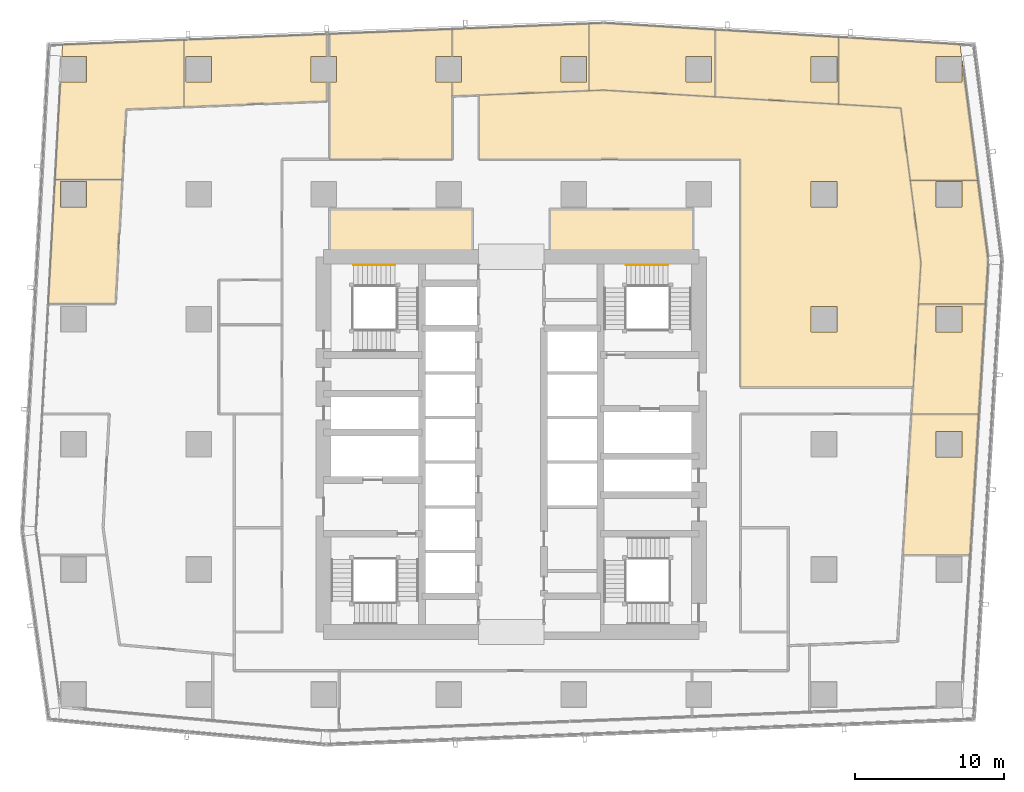
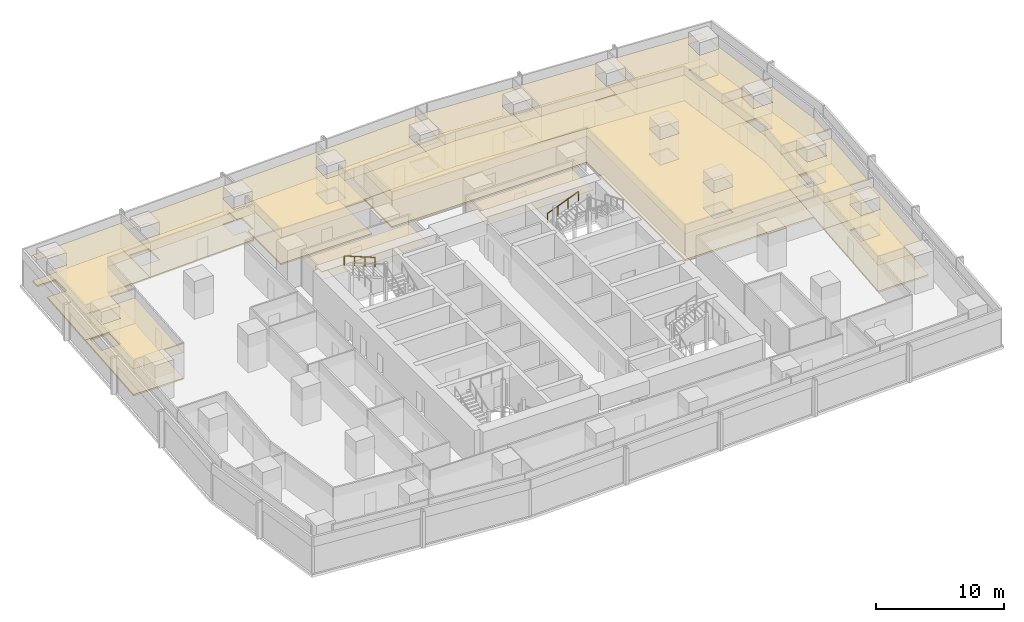
# One storey, part 40 of 40: 26 coverings, 2 railings.
"""IFC4 building model written with IfcOpenShell, lengths in metres."""

from ifc_helpers import new_model, si_unit, direction, frame, origin, origin_2d, place, context, subcontext, project, spatial, polyline, circle, outline, extrude, material, layer, layer_set, type_object, element, save


model = new_model("IFC4")

# Units and contexts
model_context = context("Model", 3, precision=1e-05, world=origin(), true_north=direction((0.0, 1.0)))
body_context = subcontext(model_context, "Body", "Model", "MODEL_VIEW")
ifc_project = project(units=[si_unit("LENGTHUNIT", "METRE"), si_unit("AREAUNIT", "SQUARE_METRE"), si_unit("VOLUMEUNIT", "CUBIC_METRE"), si_unit("PLANEANGLEUNIT", "RADIAN"), si_unit("MASSUNIT", "GRAM", prefix="KILO")], contexts=[model_context])

# Site, building, storey
site_placement = place(None, origin())
site = spatial("IfcSite", under=ifc_project, at=site_placement, CompositionType="ELEMENT")
building_placement = place(site_placement, origin())
building = spatial("IfcBuilding", under=site, at=building_placement, Name="Rekha Terrace Tower", CompositionType="ELEMENT")
storey_placement = place(building_placement, frame((0.0, 0.0, 106.550048828125)))
storey = spatial("IfcBuildingStorey", under=building, at=storey_placement, Name="L26", CompositionType="ELEMENT", Elevation=106.550048828125)

# Coverings
ifc_material_1 = material(Name="Mineral fibre tile in exposed grid", Category="finish")
ifc_layer_1 = layer(ifc_material_1, 0.02001953125)
ifc_layer_set_1 = layer_set([ifc_layer_1], Name="Mineral fibre tile in exposed grid")
covering_type_1 = type_object("IfcCoveringType", Name="CL1 600x1200 office grid ceiling", PredefinedType="CEILING", material=ifc_layer_set_1)
covering_1_placement = place(storey_placement, frame((0.0, 0.0, 2.579833984375)))
element("IfcCovering", 1, at=covering_1_placement, inside=storey, type_object=covering_type_1, Name="Ceiling L26-04", PredefinedType="CEILING", context=body_context, shape_type="SweptSolid", body=[
    extrude(outline(polyline([(64.114013671875, 26.1669921875), (68.623046875, 26.1669921875), (69.202880859375, 35.633056640625), (64.694091796875, 35.633056640625), (64.114013671875, 26.1669921875)]), holes=[polyline([(68.06494140625, 34.465087890625), (68.06494140625, 32.735107421875), (66.3349609375, 32.735107421875), (66.3349609375, 34.465087890625), (68.06494140625, 34.465087890625)])]), origin(), (0.0, 0.0, 1.0), 0.02001953125),
])
covering_2_placement = place(storey_placement, frame((0.0, 0.0, 2.579833984375)))
element("IfcCovering", 2, at=covering_2_placement, inside=storey, type_object=covering_type_1, Name="Ceiling L26-05", PredefinedType="CEILING", context=body_context, shape_type="SweptSolid", body=[
    extrude(outline(polyline([(69.655029296875, 43.011962890625), (65.14599609375, 43.011962890625), (64.7529296875, 36.589111328125), (64.694091796875, 35.634033203125), (69.202880859375, 35.634033203125), (69.655029296875, 43.011962890625)]), holes=[polyline([(68.06494140625, 41.135009765625), (66.3349609375, 41.135009765625), (66.3349609375, 42.864990234375), (68.06494140625, 42.864990234375), (68.06494140625, 41.135009765625)])]), origin(), (0.0, 0.0, 1.0), 0.02001953125),
])
covering_3_placement = place(storey_placement, frame((0.0, 0.0, 2.579833984375)))
element("IfcCovering", 3, at=covering_3_placement, inside=storey, type_object=covering_type_1, Name="Ceiling L26-06", PredefinedType="CEILING", context=body_context, shape_type="SweptSolid", body=[
    extrude(outline(polyline([(69.8359375, 45.971923828125), (69.136962890625, 51.337890625), (64.59912109375, 51.337890625), (65.318115234375, 45.818115234375), (65.14599609375, 43.012939453125), (69.655029296875, 43.012939453125), (69.8359375, 45.971923828125)]), holes=[polyline([(68.06494140625, 49.534912109375), (66.3349609375, 49.534912109375), (66.3349609375, 51.264892578125), (68.06494140625, 51.264892578125), (68.06494140625, 49.534912109375)])]), origin(), (0.0, 0.0, 1.0), 0.02001953125),
])
covering_4_placement = place(storey_placement, frame((0.0, 0.0, 2.579833984375)))
element("IfcCovering", 4, at=covering_4_placement, inside=storey, type_object=covering_type_1, Name="Ceiling L26-07", PredefinedType="CEILING", context=body_context, shape_type="SweptSolid", body=[
    extrude(outline(polyline([(67.948974609375, 60.462890625), (59.7880859375, 60.952880859375), (59.7880859375, 56.445068359375), (63.967041015625, 56.194091796875), (64.59912109375, 51.339111328125), (69.136962890625, 51.339111328125), (68.0849609375, 59.416015625), (68.06494140625, 59.4150390625), (68.06494140625, 57.93505859375), (66.3349609375, 57.93505859375), (66.3349609375, 59.6650390625), (68.052978515625, 59.6650390625), (67.948974609375, 60.462890625)])), origin(), (0.0, 0.0, 1.0), 0.02001953125),
])
covering_5_placement = place(storey_placement, frame((0.0, 0.0, 2.579833984375)))
element("IfcCovering", 5, at=covering_5_placement, inside=storey, type_object=covering_type_1, Name="Ceiling L26-08", PredefinedType="CEILING", context=body_context, shape_type="SweptSolid", body=[
    extrude(outline(polyline([(59.787109375, 56.445068359375), (59.787109375, 60.9541015625), (51.4951171875, 61.451904296875), (51.4951171875, 56.944091796875), (59.787109375, 56.445068359375)]), holes=[polyline([(59.6650390625, 57.93505859375), (57.93505859375, 57.93505859375), (57.93505859375, 59.6650390625), (59.6650390625, 59.6650390625), (59.6650390625, 57.93505859375)])]), origin(), (0.0, 0.0, 1.0), 0.02001953125),
])
covering_6_placement = place(storey_placement, frame((0.0, 0.0, 2.579833984375)))
element("IfcCovering", 6, at=covering_6_placement, inside=storey, type_object=covering_type_1, Name="Ceiling L26-09", PredefinedType="CEILING", context=body_context, shape_type="SweptSolid", body=[
    extrude(outline(polyline([(44.0380859375, 61.89990234375), (43.02392578125, 61.85888671875), (43.02392578125, 57.35595703125), (43.992919921875, 57.39501953125), (51.493896484375, 56.944091796875), (51.493896484375, 61.451904296875), (44.0380859375, 61.89990234375)]), holes=[polyline([(51.264892578125, 57.93505859375), (49.534912109375, 57.93505859375), (49.534912109375, 59.6650390625), (51.264892578125, 59.6650390625), (51.264892578125, 57.93505859375)])]), origin(), (0.0, 0.0, 1.0), 0.02001953125),
])
covering_7_placement = place(storey_placement, frame((0.0, 0.0, 2.579833984375)))
element("IfcCovering", 7, at=covering_7_placement, inside=storey, type_object=covering_type_1, Name="Ceiling L26-10", PredefinedType="CEILING", context=body_context, shape_type="SweptSolid", body=[
    extrude(outline(polyline([(34.465087890625, 57.93505859375), (33.827880859375, 57.93505859375), (33.827880859375, 56.987060546875), (34.60400390625, 57.01806640625), (43.02294921875, 57.35595703125), (43.02294921875, 61.85888671875), (33.827880859375, 61.490966796875), (33.827880859375, 59.6650390625), (34.465087890625, 59.6650390625), (34.465087890625, 57.93505859375)]), holes=[polyline([(42.864990234375, 57.93505859375), (41.135009765625, 57.93505859375), (41.135009765625, 59.6650390625), (42.864990234375, 59.6650390625), (42.864990234375, 57.93505859375)])]), origin(), (0.0, 0.0, 1.0), 0.02001953125),
])
covering_8_placement = place(storey_placement, frame((0.0, 0.0, 2.579833984375)))
element("IfcCovering", 8, at=covering_8_placement, inside=storey, type_object=covering_type_1, Name="Ceiling L26-12", PredefinedType="CEILING", context=body_context, shape_type="SweptSolid", body=[
    extrude(outline(polyline([(25.60009765625, 52.75), (33.825927734375, 52.75), (33.825927734375, 56.987060546875), (33.826904296875, 56.987060546875), (33.826904296875, 57.93505859375), (32.735107421875, 57.93505859375), (32.735107421875, 59.6650390625), (33.826904296875, 59.6650390625), (33.826904296875, 61.490966796875), (26.258056640625, 61.18798828125), (25.60009765625, 61.160888671875), (25.60009765625, 59.6650390625), (26.06494140625, 59.6650390625), (26.06494140625, 57.93505859375), (25.60009765625, 57.93505859375), (25.60009765625, 52.75)])), origin(), (0.0, 0.0, 1.0), 0.02001953125),
])
covering_9_placement = place(storey_placement, frame((0.0, 0.0, 2.579833984375)))
element("IfcCovering", 9, at=covering_9_placement, inside=storey, type_object=covering_type_1, Name="Ceiling L26-O1", PredefinedType="CEILING", context=body_context, shape_type="SweptSolid", body=[
    extrude(outline(polyline([(43.992919921875, 57.39501953125), (43.02392578125, 57.35595703125), (35.6259765625, 57.05908203125), (35.6259765625, 52.75), (53.199951171875, 52.75), (53.199951171875, 37.43701171875), (64.804931640625, 37.43701171875), (65.14599609375, 43.012939453125), (65.318115234375, 45.818115234375), (64.596923828125, 51.35498046875), (63.967041015625, 56.194091796875), (59.787109375, 56.445068359375), (51.493896484375, 56.944091796875), (43.992919921875, 57.39501953125)]), holes=[polyline([(59.6650390625, 41.135009765625), (57.93505859375, 41.135009765625), (57.93505859375, 42.864990234375), (59.6650390625, 42.864990234375), (59.6650390625, 41.135009765625)]), polyline([(59.6650390625, 49.534912109375), (57.93505859375, 49.534912109375), (57.93505859375, 51.264892578125), (59.6650390625, 51.264892578125), (59.6650390625, 49.534912109375)])]), origin(), (0.0, 0.0, 1.0), 0.02001953125),
])
covering_10_placement = place(storey_placement, frame((0.0, 0.0, 2.579833984375)))
element("IfcCovering", 10, at=covering_10_placement, inside=storey, type_object=covering_type_1, Name="Ceiling L26-13", PredefinedType="CEILING", context=body_context, shape_type="SweptSolid", body=[
    extrude(outline(polyline([(25.4130859375, 61.154052734375), (15.81494140625, 60.76904296875), (15.81494140625, 56.264892578125), (25.4130859375, 56.64990234375), (25.4130859375, 57.93505859375), (24.3349609375, 57.93505859375), (24.3349609375, 59.6650390625), (25.4130859375, 59.6650390625), (25.4130859375, 61.154052734375)]), holes=[polyline([(17.6650390625, 57.93505859375), (15.93505859375, 57.93505859375), (15.93505859375, 59.6650390625), (17.6650390625, 59.6650390625), (17.6650390625, 57.93505859375)])]), origin(), (0.0, 0.0, 1.0), 0.02001953125),
])
covering_11_placement = place(storey_placement, frame((0.0, 0.0, 2.579833984375)))
element("IfcCovering", 11, at=covering_11_placement, inside=storey, type_object=covering_type_1, Name="Ceiling L26-14", PredefinedType="CEILING", context=body_context, shape_type="SweptSolid", body=[
    extrude(outline(polyline([(7.51611328125, 57.93505859375), (7.156005859375, 51.37890625), (11.6630859375, 51.37890625), (11.922119140625, 56.10888671875), (15.81396484375, 56.264892578125), (15.81396484375, 60.76904296875), (7.653076171875, 60.44189453125), (7.610107421875, 59.6650390625), (9.264892578125, 59.6650390625), (9.264892578125, 57.93505859375), (7.51611328125, 57.93505859375)])), origin(), (0.0, 0.0, 1.0), 0.02001953125),
])
covering_12_placement = place(storey_placement, frame((0.0, 0.0, 2.579833984375)))
element("IfcCovering", 12, at=covering_12_placement, inside=storey, type_object=covering_type_1, Name="Ceiling L26-15", PredefinedType="CEILING", context=body_context, shape_type="SweptSolid", body=[
    extrude(outline(polyline([(11.6630859375, 51.3779296875), (7.156005859375, 51.3779296875), (6.698974609375, 43.0458984375), (11.2060546875, 43.0458984375), (11.6630859375, 51.3779296875)]), holes=[polyline([(9.264892578125, 51.264892578125), (9.264892578125, 49.534912109375), (7.534912109375, 49.534912109375), (7.534912109375, 51.264892578125), (9.264892578125, 51.264892578125)])]), origin(), (0.0, 0.0, 1.0), 0.02001953125),
])
ifc_material_2 = material(Name="Fibre cement board", Category="finish")
ifc_layer_2 = layer(ifc_material_2, 0.014892578125)
ifc_layer_set_2 = layer_set([ifc_layer_2], Name="Fibre cement board")
covering_type_2 = type_object("IfcCoveringType", Name="CL2 moisture-resistant board ceiling", PredefinedType="CEILING", material=ifc_layer_set_2)
covering_13_placement = place(storey_placement, frame((0.0, 0.0, 2.5849609375)))
element("IfcCovering", 13, at=covering_13_placement, inside=storey, type_object=covering_type_2, Name="Ceiling L26-WCF", PredefinedType="CEILING", context=body_context, shape_type="SweptSolid", body=[
    extrude(outline(polyline([(50.0, 49.39990234375), (40.39990234375, 49.39990234375), (40.39990234375, 46.199951171875), (50.0, 46.199951171875), (50.0, 49.39990234375)])), origin(), (0.0, 0.0, 1.0), 0.014892578125),
])
covering_14_placement = place(storey_placement, frame((0.0, 0.0, 2.5849609375)))
element("IfcCovering", 14, at=covering_14_placement, inside=storey, type_object=covering_type_2, Name="Ceiling L26-WCF2", PredefinedType="CEILING", context=body_context, shape_type="SweptSolid", body=[
    extrude(outline(polyline([(35.199951171875, 49.39990234375), (25.60009765625, 49.39990234375), (25.60009765625, 46.199951171875), (35.199951171875, 46.199951171875), (35.199951171875, 49.39990234375)])), origin(), (0.0, 0.0, 1.0), 0.014892578125),
])

# Railings
ifc_material_3 = material(Name="Stainless steel tube", Category="steel")
railing_type = type_object("IfcRailingType", Name="HR1 900 stair handrail", PredefinedType="HANDRAIL", material=ifc_material_3)
railing_1_placement = place(storey_placement, frame((45.52490234375, 45.639892578125, 1.375)))
element("IfcRailing", 15, at=railing_1_placement, inside=storey, type_object=railing_type, Name="Handrail ST2 L26 flight 2", PredefinedType="HANDRAIL", context=body_context, shape_type="SweptSolid", body=[
    extrude(circle(Radius=0.02392578125, at=origin_2d()), frame((0.0, 0.0, 0.8759765625), z_axis=(0.927443287984, 0.0, 0.373963831907), x_axis=(0.0, 1.0, 0.0)), (0.0, 0.0, 1.0), 3.00830078125),
    extrude(circle(Radius=0.02099609375, at=origin_2d()), origin(), (0.0, 0.0, 1.0), 0.851806640625),
    extrude(circle(Radius=0.02099609375, at=origin_2d()), frame((0.929931640625, 0.0, 0.375)), (0.0, 0.0, 1.0), 0.851806640625),
    extrude(circle(Radius=0.02099609375, at=origin_2d()), frame((1.860107421875, 0.0, 0.75)), (0.0, 0.0, 1.0), 0.851806640625),
    extrude(circle(Radius=0.02099609375, at=origin_2d()), frame((2.7900390625, 0.0, 1.125)), (0.0, 0.0, 1.0), 0.851806640625),
])
railing_2_placement = place(storey_placement, frame((29.989990234375, 45.639892578125, 2.625)))
element("IfcRailing", 16, at=railing_2_placement, inside=storey, type_object=railing_type, Name="Handrail ST4 L26 flight 3", PredefinedType="HANDRAIL", context=body_context, shape_type="SweptSolid", body=[
    extrude(circle(Radius=0.02392578125, at=origin_2d()), frame((0.0, 0.0, 0.8759765625), z_axis=(-0.927443287984, 0.0, 0.373963831907), x_axis=(0.0, -1.0, 0.0)), (0.0, 0.0, 1.0), 3.00830078125),
    extrude(circle(Radius=0.02099609375, at=origin_2d()), origin(), (0.0, 0.0, 1.0), 0.851806640625),
    extrude(circle(Radius=0.02099609375, at=origin_2d()), frame((-0.929931640625, 0.0, 0.375)), (0.0, 0.0, 1.0), 0.851806640625),
    extrude(circle(Radius=0.02099609375, at=origin_2d()), frame((-1.860107421875, 0.0, 0.75)), (0.0, 0.0, 1.0), 0.851806640625),
    extrude(circle(Radius=0.02099609375, at=origin_2d()), frame((-2.7900390625, 0.0, 1.125)), (0.0, 0.0, 1.0), 0.851806640625),
])

# Coverings
ifc_material_4 = material(Name="Calcium sulphate panels on steel pedestals", Category="steel")
ifc_layer_3 = layer(ifc_material_4, 0.14990234375)
ifc_layer_set_3 = layer_set([ifc_layer_3], Name="Calcium sulphate panels on steel pedestals")
covering_type_3 = type_object("IfcCoveringType", Name="RF1 150 raised access floor", PredefinedType="FLOORING", material=ifc_layer_set_3)
covering_15_placement = place(storey_placement, origin())
element("IfcCovering", 17, at=covering_15_placement, inside=storey, type_object=covering_type_3, Name="Raised floor L26-04", PredefinedType="FLOORING", context=body_context, shape_type="SweptSolid", body=[
    extrude(outline(polyline([(64.114013671875, 26.1669921875), (68.623046875, 26.1669921875), (69.202880859375, 35.633056640625), (64.694091796875, 35.633056640625), (64.114013671875, 26.1669921875)]), holes=[polyline([(68.06494140625, 34.465087890625), (68.06494140625, 32.735107421875), (66.3349609375, 32.735107421875), (66.3349609375, 34.465087890625), (68.06494140625, 34.465087890625)])]), origin(), (0.0, 0.0, 1.0), 0.14990234375),
])
covering_16_placement = place(storey_placement, origin())
element("IfcCovering", 18, at=covering_16_placement, inside=storey, type_object=covering_type_3, Name="Raised floor L26-05", PredefinedType="FLOORING", context=body_context, shape_type="SweptSolid", body=[
    extrude(outline(polyline([(69.655029296875, 43.011962890625), (65.14599609375, 43.011962890625), (64.7529296875, 36.589111328125), (64.694091796875, 35.634033203125), (69.202880859375, 35.634033203125), (69.655029296875, 43.011962890625)]), holes=[polyline([(68.06494140625, 41.135009765625), (66.3349609375, 41.135009765625), (66.3349609375, 42.864990234375), (68.06494140625, 42.864990234375), (68.06494140625, 41.135009765625)])]), origin(), (0.0, 0.0, 1.0), 0.14990234375),
])
covering_17_placement = place(storey_placement, origin())
element("IfcCovering", 19, at=covering_17_placement, inside=storey, type_object=covering_type_3, Name="Raised floor L26-06", PredefinedType="FLOORING", context=body_context, shape_type="SweptSolid", body=[
    extrude(outline(polyline([(69.8359375, 45.971923828125), (69.136962890625, 51.337890625), (64.59912109375, 51.337890625), (65.318115234375, 45.818115234375), (65.14599609375, 43.012939453125), (69.655029296875, 43.012939453125), (69.8359375, 45.971923828125)]), holes=[polyline([(68.06494140625, 49.534912109375), (66.3349609375, 49.534912109375), (66.3349609375, 51.264892578125), (68.06494140625, 51.264892578125), (68.06494140625, 49.534912109375)])]), origin(), (0.0, 0.0, 1.0), 0.14990234375),
])
covering_18_placement = place(storey_placement, origin())
element("IfcCovering", 20, at=covering_18_placement, inside=storey, type_object=covering_type_3, Name="Raised floor L26-07", PredefinedType="FLOORING", context=body_context, shape_type="SweptSolid", body=[
    extrude(outline(polyline([(67.948974609375, 60.462890625), (59.7880859375, 60.952880859375), (59.7880859375, 56.445068359375), (63.967041015625, 56.194091796875), (64.59912109375, 51.339111328125), (69.136962890625, 51.339111328125), (68.0849609375, 59.416015625), (68.06494140625, 59.4150390625), (68.06494140625, 57.93505859375), (66.3349609375, 57.93505859375), (66.3349609375, 59.6650390625), (68.052978515625, 59.6650390625), (67.948974609375, 60.462890625)])), origin(), (0.0, 0.0, 1.0), 0.14990234375),
])
covering_19_placement = place(storey_placement, origin())
element("IfcCovering", 21, at=covering_19_placement, inside=storey, type_object=covering_type_3, Name="Raised floor L26-08", PredefinedType="FLOORING", context=body_context, shape_type="SweptSolid", body=[
    extrude(outline(polyline([(59.787109375, 56.445068359375), (59.787109375, 60.9541015625), (51.4951171875, 61.451904296875), (51.4951171875, 56.944091796875), (59.787109375, 56.445068359375)]), holes=[polyline([(59.6650390625, 57.93505859375), (57.93505859375, 57.93505859375), (57.93505859375, 59.6650390625), (59.6650390625, 59.6650390625), (59.6650390625, 57.93505859375)])]), origin(), (0.0, 0.0, 1.0), 0.14990234375),
])
covering_20_placement = place(storey_placement, origin())
element("IfcCovering", 22, at=covering_20_placement, inside=storey, type_object=covering_type_3, Name="Raised floor L26-09", PredefinedType="FLOORING", context=body_context, shape_type="SweptSolid", body=[
    extrude(outline(polyline([(44.0380859375, 61.89990234375), (43.02392578125, 61.85888671875), (43.02392578125, 57.35595703125), (43.992919921875, 57.39501953125), (51.493896484375, 56.944091796875), (51.493896484375, 61.451904296875), (44.0380859375, 61.89990234375)]), holes=[polyline([(51.264892578125, 57.93505859375), (49.534912109375, 57.93505859375), (49.534912109375, 59.6650390625), (51.264892578125, 59.6650390625), (51.264892578125, 57.93505859375)])]), origin(), (0.0, 0.0, 1.0), 0.14990234375),
])
covering_21_placement = place(storey_placement, origin())
element("IfcCovering", 23, at=covering_21_placement, inside=storey, type_object=covering_type_3, Name="Raised floor L26-10", PredefinedType="FLOORING", context=body_context, shape_type="SweptSolid", body=[
    extrude(outline(polyline([(34.465087890625, 57.93505859375), (33.827880859375, 57.93505859375), (33.827880859375, 56.987060546875), (34.60400390625, 57.01806640625), (43.02294921875, 57.35595703125), (43.02294921875, 61.85888671875), (33.827880859375, 61.490966796875), (33.827880859375, 59.6650390625), (34.465087890625, 59.6650390625), (34.465087890625, 57.93505859375)]), holes=[polyline([(42.864990234375, 57.93505859375), (41.135009765625, 57.93505859375), (41.135009765625, 59.6650390625), (42.864990234375, 59.6650390625), (42.864990234375, 57.93505859375)])]), origin(), (0.0, 0.0, 1.0), 0.14990234375),
])
covering_22_placement = place(storey_placement, origin())
element("IfcCovering", 24, at=covering_22_placement, inside=storey, type_object=covering_type_3, Name="Raised floor L26-12", PredefinedType="FLOORING", context=body_context, shape_type="SweptSolid", body=[
    extrude(outline(polyline([(25.60009765625, 52.75), (33.825927734375, 52.75), (33.825927734375, 56.987060546875), (33.826904296875, 56.987060546875), (33.826904296875, 57.93505859375), (32.735107421875, 57.93505859375), (32.735107421875, 59.6650390625), (33.826904296875, 59.6650390625), (33.826904296875, 61.490966796875), (26.258056640625, 61.18798828125), (25.60009765625, 61.160888671875), (25.60009765625, 59.6650390625), (26.06494140625, 59.6650390625), (26.06494140625, 57.93505859375), (25.60009765625, 57.93505859375), (25.60009765625, 52.75)])), origin(), (0.0, 0.0, 1.0), 0.14990234375),
])
covering_23_placement = place(storey_placement, origin())
element("IfcCovering", 25, at=covering_23_placement, inside=storey, type_object=covering_type_3, Name="Raised floor L26-O1", PredefinedType="FLOORING", context=body_context, shape_type="SweptSolid", body=[
    extrude(outline(polyline([(43.992919921875, 57.39501953125), (43.02392578125, 57.35595703125), (35.6259765625, 57.05908203125), (35.6259765625, 52.75), (53.199951171875, 52.75), (53.199951171875, 37.43701171875), (64.804931640625, 37.43701171875), (65.14599609375, 43.012939453125), (65.318115234375, 45.818115234375), (64.596923828125, 51.35498046875), (63.967041015625, 56.194091796875), (59.787109375, 56.445068359375), (51.493896484375, 56.944091796875), (43.992919921875, 57.39501953125)]), holes=[polyline([(59.6650390625, 41.135009765625), (57.93505859375, 41.135009765625), (57.93505859375, 42.864990234375), (59.6650390625, 42.864990234375), (59.6650390625, 41.135009765625)]), polyline([(59.6650390625, 49.534912109375), (57.93505859375, 49.534912109375), (57.93505859375, 51.264892578125), (59.6650390625, 51.264892578125), (59.6650390625, 49.534912109375)])]), origin(), (0.0, 0.0, 1.0), 0.14990234375),
])
covering_24_placement = place(storey_placement, origin())
element("IfcCovering", 26, at=covering_24_placement, inside=storey, type_object=covering_type_3, Name="Raised floor L26-13", PredefinedType="FLOORING", context=body_context, shape_type="SweptSolid", body=[
    extrude(outline(polyline([(25.4130859375, 61.154052734375), (15.81494140625, 60.76904296875), (15.81494140625, 56.264892578125), (25.4130859375, 56.64990234375), (25.4130859375, 57.93505859375), (24.3349609375, 57.93505859375), (24.3349609375, 59.6650390625), (25.4130859375, 59.6650390625), (25.4130859375, 61.154052734375)]), holes=[polyline([(17.6650390625, 57.93505859375), (15.93505859375, 57.93505859375), (15.93505859375, 59.6650390625), (17.6650390625, 59.6650390625), (17.6650390625, 57.93505859375)])]), origin(), (0.0, 0.0, 1.0), 0.14990234375),
])
covering_25_placement = place(storey_placement, origin())
element("IfcCovering", 27, at=covering_25_placement, inside=storey, type_object=covering_type_3, Name="Raised floor L26-14", PredefinedType="FLOORING", context=body_context, shape_type="SweptSolid", body=[
    extrude(outline(polyline([(7.51611328125, 57.93505859375), (7.156005859375, 51.37890625), (11.6630859375, 51.37890625), (11.922119140625, 56.10888671875), (15.81396484375, 56.264892578125), (15.81396484375, 60.76904296875), (7.653076171875, 60.44189453125), (7.610107421875, 59.6650390625), (9.264892578125, 59.6650390625), (9.264892578125, 57.93505859375), (7.51611328125, 57.93505859375)])), origin(), (0.0, 0.0, 1.0), 0.14990234375),
])
covering_26_placement = place(storey_placement, origin())
element("IfcCovering", 28, at=covering_26_placement, inside=storey, type_object=covering_type_3, Name="Raised floor L26-15", PredefinedType="FLOORING", context=body_context, shape_type="SweptSolid", body=[
    extrude(outline(polyline([(11.6630859375, 51.3779296875), (7.156005859375, 51.3779296875), (6.698974609375, 43.0458984375), (11.2060546875, 43.0458984375), (11.6630859375, 51.3779296875)]), holes=[polyline([(9.264892578125, 51.264892578125), (9.264892578125, 49.534912109375), (7.534912109375, 49.534912109375), (7.534912109375, 51.264892578125), (9.264892578125, 51.264892578125)])]), origin(), (0.0, 0.0, 1.0), 0.14990234375),
])

save(model, "model.ifc")
